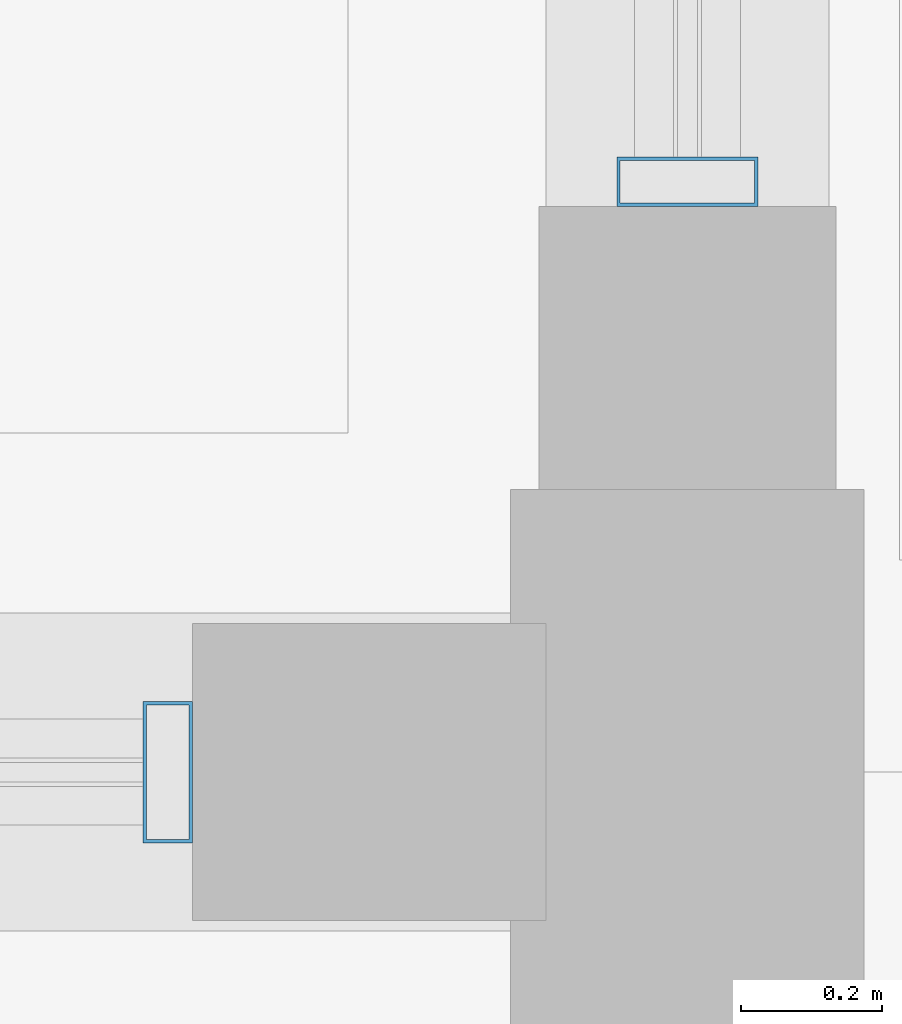
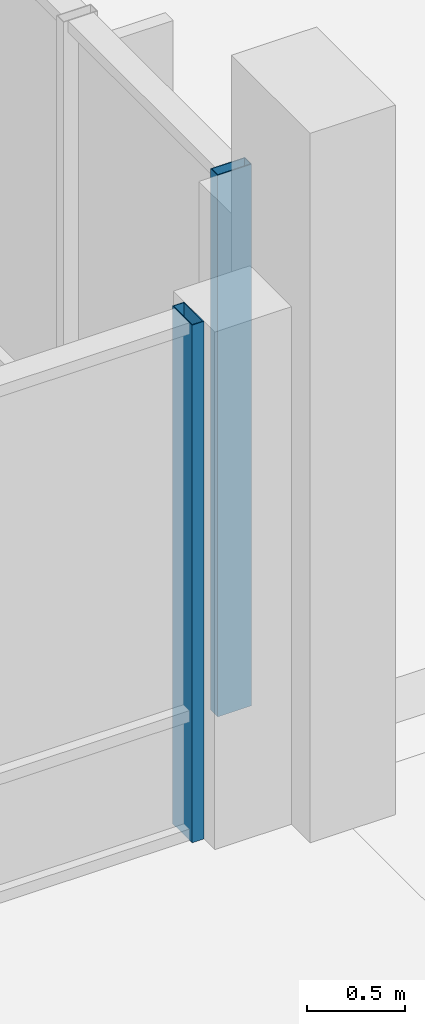
# One storey, part 78 of 233: 2 members, 2 elements without a shape of their own.
"""IFC4 building model written with IfcOpenShell, lengths in metres."""

from ifc_helpers import new_model, si_unit, direction, frame, origin, origin_2d, place, context, subcontext, project, spatial, hollow_rectangle, extrude, material, material_profile, profile_set, type_object, element, aggregate, save


model = new_model("IFC4")

# Units and contexts
model_context = context("Model", 3, precision=1e-05, world=origin(), true_north=direction((0.0, 1.0)))
body_context = subcontext(model_context, "Body", "Model", "MODEL_VIEW")
ifc_project = project(units=[si_unit("LENGTHUNIT", "METRE"), si_unit("AREAUNIT", "SQUARE_METRE"), si_unit("VOLUMEUNIT", "CUBIC_METRE"), si_unit("PLANEANGLEUNIT", "RADIAN"), si_unit("MASSUNIT", "GRAM", prefix="KILO")], contexts=[model_context])

# Site, building, storey
site_placement = place(None, origin())
site = spatial("IfcSite", under=ifc_project, at=site_placement, CompositionType="ELEMENT")
building_placement = place(site_placement, origin())
building = spatial("IfcBuilding", under=site, at=building_placement, Name="Zavelmont Quarter", CompositionType="ELEMENT")
storey_placement = place(building_placement, origin())
storey = spatial("IfcBuildingStorey", under=building, at=storey_placement, Name="L00", CompositionType="ELEMENT", Elevation=0.0)

# Curtain wall, member
ifc_material_1 = material(Name="Thermally broken aluminium and double low-E safety glazing", Category="aluminium")
curtain_wall_type_1 = type_object("IfcCurtainWallType", Name="CW-640X336", PredefinedType="NOTDEFINED", material=ifc_material_1)
curtain_wall_1_placement = place(storey_placement, origin())
curtain_wall_1 = element("IfcCurtainWall", 1, at=curtain_wall_1_placement, inside=storey, type_object=curtain_wall_type_1, Name="L00 unitised curtain wall CW-640X336", PredefinedType="NOTDEFINED")
ifc_material_2 = material(Name="Powder-coated aluminium EN AW-6063-T6", Category="aluminium")
ifc_material_profile = material_profile(ifc_material_2, hollow_rectangle(XDim=0.070068359375, YDim=0.199951171875, WallThickness=0.0048828125, at=origin_2d()), Name="CWM70X200")
ifc_profile_set = profile_set([ifc_material_profile], Name="Powder-coated aluminium EN AW-6063-T6")
member_type = type_object("IfcMemberType", Name="CWM02", PredefinedType="MULLION", material=ifc_profile_set)
member_1_placement = place(storey_placement, frame((112.800048828125, 30.8349609375, 0.0), z_axis=(0.0, 0.0, 1.0), x_axis=(0.0, 1.0, 0.0)))
member_1 = element("IfcMember", 2, at=member_1_placement, type_object=member_type, Name="CW-640X336 mullion 1", PredefinedType="MULLION", context=body_context, shape_type="SweptSolid", body=[
    extrude(hollow_rectangle(XDim=0.070068359375, YDim=0.199951171875, WallThickness=0.0048828125, at=origin_2d()), origin(), (0.0, 0.0, 1.0), 3.360107421875),
])
aggregate(curtain_wall_1, [member_1])

curtain_wall_type_2 = type_object("IfcCurtainWallType", Name="CW-580X321", PredefinedType="NOTDEFINED", material=ifc_material_1)
curtain_wall_2_placement = place(storey_placement, origin())
curtain_wall_2 = element("IfcCurtainWall", 3, at=curtain_wall_2_placement, inside=storey, type_object=curtain_wall_type_2, Name="L00 unitised curtain wall CW-580X321", PredefinedType="NOTDEFINED")
member_2_placement = place(storey_placement, frame((112.06494140625, 30.0, 0.0), z_axis=(0.0, 0.0, 1.0), x_axis=(1.0, 0.0, 0.0)))
member_2 = element("IfcMember", 4, at=member_2_placement, type_object=member_type, Name="CW-580X321 mullion 4", PredefinedType="MULLION", context=body_context, shape_type="SweptSolid", body=[
    extrude(hollow_rectangle(XDim=0.070068359375, YDim=0.199951171875, WallThickness=0.0048828125, at=origin_2d()), origin(), (0.0, 0.0, 1.0), 3.2099609375),
])
aggregate(curtain_wall_2, [member_2])

save(model, "model.ifc")
